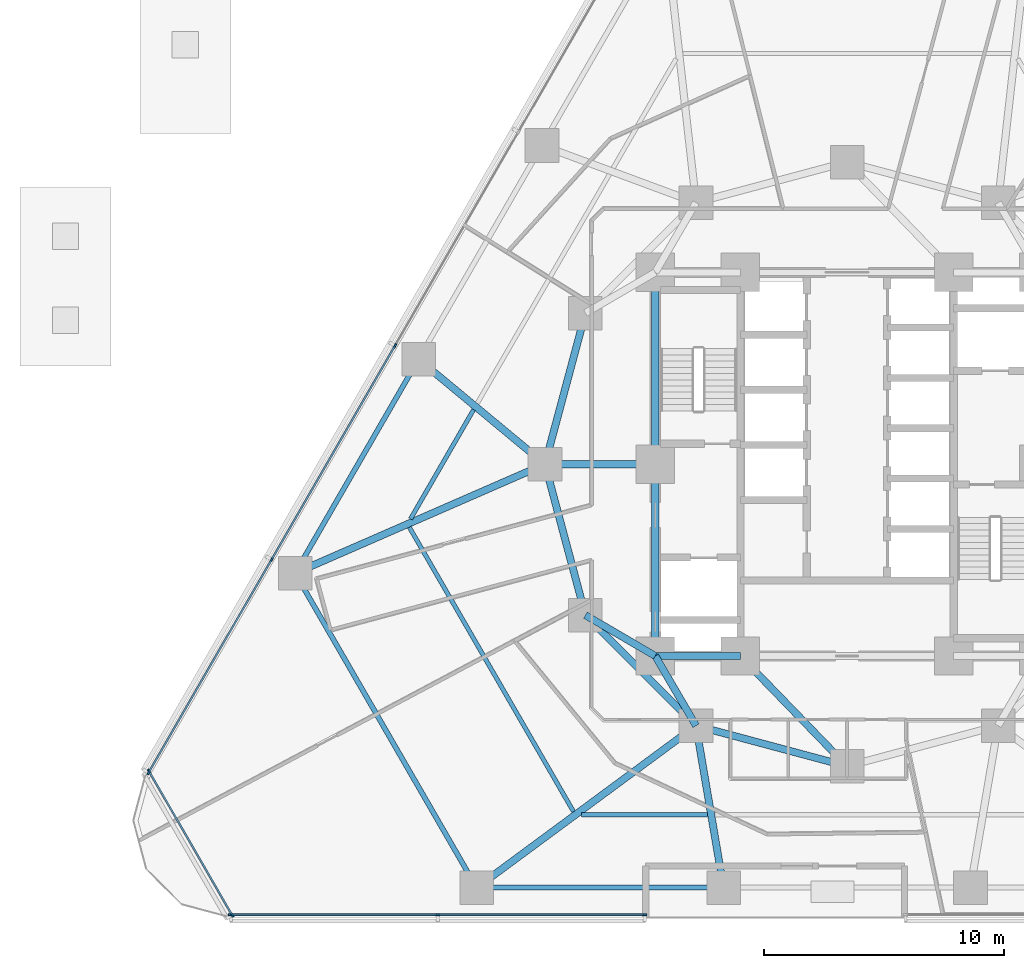
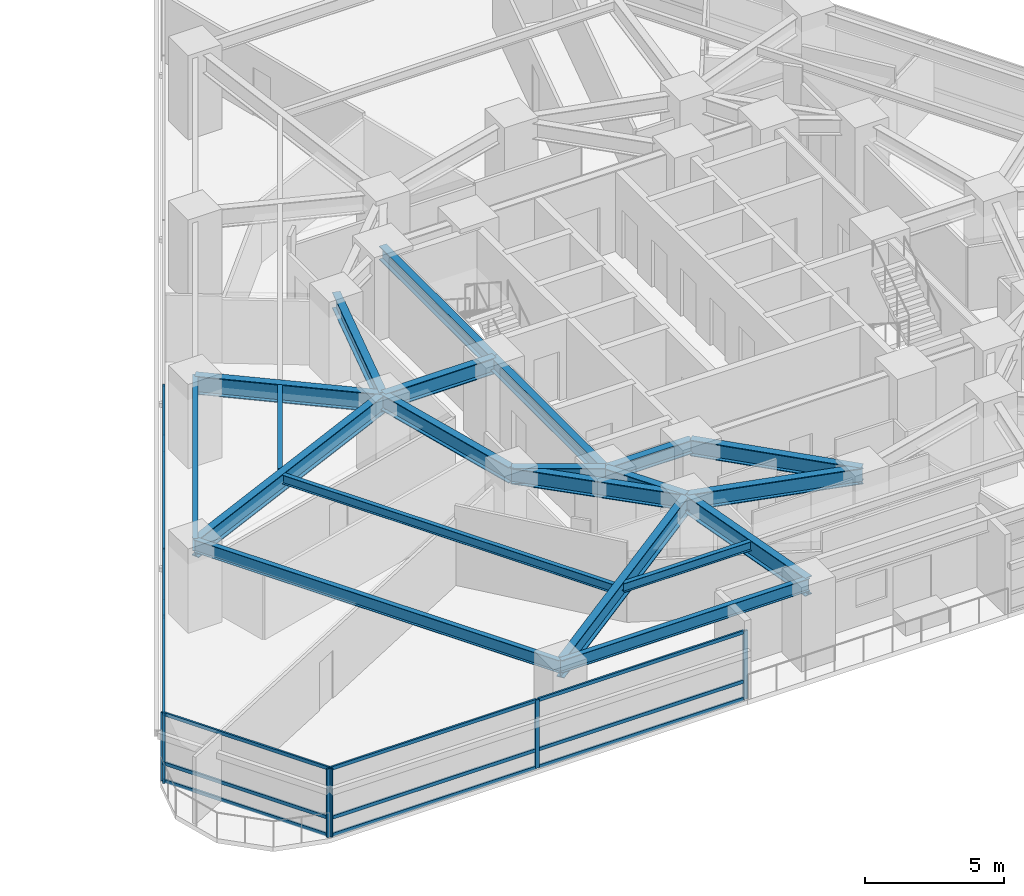
# One storey, part 2 of 16: 23 members, 21 beams, 3 elements without a shape of their own.
"""IFC4 building model written with IfcOpenShell, lengths in metres."""

from ifc_helpers import new_model, si_unit, direction, frame, origin, origin_2d, place, context, subcontext, project, spatial, rectangle, i_section, extrude, material, layer, layer_set, material_profile, profile_set, type_object, element, aggregate, save


model = new_model("IFC4")

# Units and contexts
model_context = context("Model", 3, precision=1e-05, world=origin(), true_north=direction((0.0, 1.0)))
body_context = subcontext(model_context, "Body", "Model", "MODEL_VIEW")
ifc_project = project(units=[si_unit("LENGTHUNIT", "METRE"), si_unit("AREAUNIT", "SQUARE_METRE"), si_unit("VOLUMEUNIT", "CUBIC_METRE"), si_unit("PLANEANGLEUNIT", "RADIAN"), si_unit("MASSUNIT", "GRAM", prefix="KILO")], contexts=[model_context])

# Site, building, storey
site_placement = place(None, origin())
site = spatial("IfcSite", under=ifc_project, at=site_placement, CompositionType="ELEMENT")
building_placement = place(site_placement, origin())
building = spatial("IfcBuilding", under=site, at=building_placement, Name="Terralouvre Media Tower", CompositionType="ELEMENT")
storey_placement = place(building_placement, frame((0.0, 0.0, 29.699951171875)))
storey = spatial("IfcBuildingStorey", under=building, at=storey_placement, Name="L06", CompositionType="ELEMENT", Elevation=29.699951171875)

# Beams
ifc_material_1 = material(Name="Structural steel S355J2", Category="steel")
ifc_material_profile_1 = material_profile(ifc_material_1, i_section(OverallWidth=0.179931640625, OverallDepth=0.39990234375, WebThickness=0.008544921875, FlangeThickness=0.013427734375, at=origin_2d()), Name="IPE 400")
ifc_profile_set_1 = profile_set([ifc_material_profile_1], Name="Structural steel S355J2")
beam_type_1 = type_object("IfcBeamType", Name="Composite Floor Joist J-IPE400 (IPE 400)", PredefinedType="JOIST", material=ifc_profile_set_1)
beam_1_placement = place(storey_placement, frame((-18.2587890625, -2.630615234375, 3.300048828125), z_axis=(0.500011895338, -0.866018535899, 0.0), x_axis=(0.866018535899, 0.500011895338, 0.0)))
element("IfcBeam", 1, at=beam_1_placement, inside=storey, type_object=beam_type_1, Name="L06 Framing Beam JT-L06-01", PredefinedType="JOIST", context=body_context, shape_type="SweptSolid", body=[
    extrude(i_section(OverallWidth=0.179931640625, OverallDepth=0.39990234375, WebThickness=0.008544921875, FlangeThickness=0.013427734375, at=origin_2d()), origin(), (0.0, 0.0, 1.0), 13.702392578125),
])
for number, where, z_axis, x_axis, name in (
    (2, (-11.08203125, -14.627197265625, 3.300048828125), (1.0, 0.0, 0.0), (0.0, 1.0, 0.0), "L06 Framing Beam JT-L06-02"),
    (3, (-15.576171875, 2.275390625, 3.300048828125), (-0.500019514865, -0.866014136579, 0.0), (0.866014136579, -0.500019514865, 0.0), "L06 Framing Beam JT-L06-12"),
):
    element("IfcBeam", number, at=place(storey_placement, frame(where, z_axis=z_axis, x_axis=x_axis)), inside=storey, type_object=beam_type_1, Name=name, PredefinedType="JOIST", context=body_context, shape_type="SweptSolid", body=[
        extrude(i_section(OverallWidth=0.179931640625, OverallDepth=0.39990234375, WebThickness=0.008544921875, FlangeThickness=0.013427734375, at=origin_2d()), origin(), (0.0, 0.0, 1.0), 5.264404296875),
    ])

# Curtain wall, members
ifc_material_2 = material(Name="Low-iron laminated double glazing with solar-control coating", Category="glass")
ifc_layer_1 = layer(ifc_material_2, 0.1650390625, Name="Lower Media Tower Unitised Curtain Wall CW-02")
ifc_layer_set_1 = layer_set([ifc_layer_1], Name="Low-iron laminated double glazing with solar-control coating")
curtain_wall_type_1 = type_object("IfcCurtainWallType", Name="Lower Media Tower Unitised Curtain Wall CW-02", PredefinedType="NOTDEFINED", material=ifc_layer_set_1)
curtain_wall_1_placement = place(storey_placement, origin())
curtain_wall_1 = element("IfcCurtainWall", 4, at=curtain_wall_1_placement, inside=storey, type_object=curtain_wall_type_1, Name="L06 Left Flank Curtain Wall F0", PredefinedType="NOTDEFINED")
ifc_material_3 = material(Name="Anodised extruded aluminium 6063-T6", Category="aluminium")
ifc_material_profile_2 = material_profile(ifc_material_3, rectangle(XDim=0.074951171875, YDim=0.14990234375, at=origin_2d()), Name="ALU 75x150")
ifc_profile_set_2 = profile_set([ifc_material_profile_2], Name="Anodised extruded aluminium 6063-T6")
member_type_1 = type_object("IfcMemberType", Name="Curtain-Wall Horizontal Transom TR-150", PredefinedType="USERDEFINED", material=ifc_profile_set_2)
member_1_placement = place(storey_placement, frame((-25.675048828125, -18.796875, 0.03759765625), z_axis=(1.0, 0.0, 0.0), x_axis=(0.0, 1.0, 0.0)))
member_1 = element("IfcMember", 5, at=member_1_placement, type_object=member_type_1, Name="CW-02 transom 1.1", ObjectType="TRANSOM", PredefinedType="USERDEFINED", context=body_context, shape_type="SweptSolid", body=[
    extrude(rectangle(XDim=0.074951171875, YDim=0.14990234375, at=origin_2d()), origin(), (0.0, 0.0, 1.0), 8.5625),
])
member_2_placement = place(storey_placement, frame((-25.675048828125, -18.796875, 0.800048828125), z_axis=(1.0, 0.0, 0.0), x_axis=(0.0, 1.0, 0.0)))
member_2 = element("IfcMember", 6, at=member_2_placement, type_object=member_type_1, Name="CW-02 transom 1.2", ObjectType="TRANSOM", PredefinedType="USERDEFINED", context=body_context, shape_type="SweptSolid", body=[
    extrude(rectangle(XDim=0.074951171875, YDim=0.14990234375, at=origin_2d()), origin(), (0.0, 0.0, 1.0), 8.5625),
])
member_3_placement = place(storey_placement, frame((-25.675048828125, -18.796875, 2.962646484375), z_axis=(1.0, 0.0, 0.0), x_axis=(0.0, 1.0, 0.0)))
member_3 = element("IfcMember", 7, at=member_3_placement, type_object=member_type_1, Name="CW-02 transom 1.3", ObjectType="TRANSOM", PredefinedType="USERDEFINED", context=body_context, shape_type="SweptSolid", body=[
    extrude(rectangle(XDim=0.074951171875, YDim=0.14990234375, at=origin_2d()), origin(), (0.0, 0.0, 1.0), 8.5625),
])
member_4_placement = place(storey_placement, frame((-17.03759765625, -18.796875, 0.03759765625), z_axis=(1.0, 0.0, 0.0), x_axis=(0.0, 1.0, 0.0)))
member_4 = element("IfcMember", 8, at=member_4_placement, type_object=member_type_1, Name="CW-02 transom 2.1", ObjectType="TRANSOM", PredefinedType="USERDEFINED", context=body_context, shape_type="SweptSolid", body=[
    extrude(rectangle(XDim=0.074951171875, YDim=0.14990234375, at=origin_2d()), origin(), (0.0, 0.0, 1.0), 8.5625),
])
member_5_placement = place(storey_placement, frame((-17.03759765625, -18.796875, 0.800048828125), z_axis=(1.0, 0.0, 0.0), x_axis=(0.0, 1.0, 0.0)))
member_5 = element("IfcMember", 9, at=member_5_placement, type_object=member_type_1, Name="CW-02 transom 2.2", ObjectType="TRANSOM", PredefinedType="USERDEFINED", context=body_context, shape_type="SweptSolid", body=[
    extrude(rectangle(XDim=0.074951171875, YDim=0.14990234375, at=origin_2d()), origin(), (0.0, 0.0, 1.0), 8.5625),
])
member_6_placement = place(storey_placement, frame((-17.03759765625, -18.796875, 2.962646484375), z_axis=(1.0, 0.0, 0.0), x_axis=(0.0, 1.0, 0.0)))
member_6 = element("IfcMember", 10, at=member_6_placement, type_object=member_type_1, Name="CW-02 transom 2.3", ObjectType="TRANSOM", PredefinedType="USERDEFINED", context=body_context, shape_type="SweptSolid", body=[
    extrude(rectangle(XDim=0.074951171875, YDim=0.14990234375, at=origin_2d()), origin(), (0.0, 0.0, 1.0), 8.5625),
])

curtain_wall_2_placement = place(storey_placement, origin())
curtain_wall_2 = element("IfcCurtainWall", 11, at=curtain_wall_2_placement, inside=storey, type_object=curtain_wall_type_1, Name="L06 Facade Curtain Wall F2", PredefinedType="NOTDEFINED")
member_7_placement = place(storey_placement, frame((-18.872314453125, 4.90576171875, 0.03759765625), z_axis=(-0.499991148707, -0.866030514021, 0.0), x_axis=(0.866030514021, -0.499991148707, 0.0)))
member_7 = element("IfcMember", 12, at=member_7_placement, type_object=member_type_1, Name="CW-02 transom 4.1", ObjectType="TRANSOM", PredefinedType="USERDEFINED", context=body_context, shape_type="SweptSolid", body=[
    extrude(rectangle(XDim=0.074951171875, YDim=0.14990234375, at=origin_2d()), origin(), (0.0, 0.0, 1.0), 10.224853515625),
])
member_8_placement = place(storey_placement, frame((-18.872314453125, 4.90576171875, 0.800048828125), z_axis=(-0.499991148707, -0.866030514021, 0.0), x_axis=(0.866030514021, -0.499991148707, 0.0)))
member_8 = element("IfcMember", 13, at=member_8_placement, type_object=member_type_1, Name="CW-02 transom 4.2", ObjectType="TRANSOM", PredefinedType="USERDEFINED", context=body_context, shape_type="SweptSolid", body=[
    extrude(rectangle(XDim=0.074951171875, YDim=0.14990234375, at=origin_2d()), origin(), (0.0, 0.0, 1.0), 10.224853515625),
])
member_9_placement = place(storey_placement, frame((-18.872314453125, 4.90576171875, 2.962646484375), z_axis=(-0.499991148707, -0.866030514021, 0.0), x_axis=(0.866030514021, -0.499991148707, 0.0)))
member_9 = element("IfcMember", 14, at=member_9_placement, type_object=member_type_1, Name="CW-02 transom 4.3", ObjectType="TRANSOM", PredefinedType="USERDEFINED", context=body_context, shape_type="SweptSolid", body=[
    extrude(rectangle(XDim=0.074951171875, YDim=0.14990234375, at=origin_2d()), origin(), (0.0, 0.0, 1.0), 10.224853515625),
])
member_10_placement = place(storey_placement, frame((-24.022216796875, -4.01416015625, 0.03759765625), z_axis=(-0.499994895054, -0.866028351106, 0.0), x_axis=(0.866028351106, -0.499994895054, 0.0)))
member_10 = element("IfcMember", 15, at=member_10_placement, type_object=member_type_1, Name="CW-02 transom 5.1", ObjectType="TRANSOM", PredefinedType="USERDEFINED", context=body_context, shape_type="SweptSolid", body=[
    extrude(rectangle(XDim=0.074951171875, YDim=0.14990234375, at=origin_2d()), origin(), (0.0, 0.0, 1.0), 10.1875),
])
member_11_placement = place(storey_placement, frame((-24.022216796875, -4.01416015625, 0.800048828125), z_axis=(-0.499994895054, -0.866028351106, 0.0), x_axis=(0.866028351106, -0.499994895054, 0.0)))
member_11 = element("IfcMember", 16, at=member_11_placement, type_object=member_type_1, Name="CW-02 transom 5.2", ObjectType="TRANSOM", PredefinedType="USERDEFINED", context=body_context, shape_type="SweptSolid", body=[
    extrude(rectangle(XDim=0.074951171875, YDim=0.14990234375, at=origin_2d()), origin(), (0.0, 0.0, 1.0), 10.1875),
])
member_12_placement = place(storey_placement, frame((-24.022216796875, -4.01416015625, 2.962646484375), z_axis=(-0.499994895054, -0.866028351106, 0.0), x_axis=(0.866028351106, -0.499994895054, 0.0)))
member_12 = element("IfcMember", 17, at=member_12_placement, type_object=member_type_1, Name="CW-02 transom 5.3", ObjectType="TRANSOM", PredefinedType="USERDEFINED", context=body_context, shape_type="SweptSolid", body=[
    extrude(rectangle(XDim=0.074951171875, YDim=0.14990234375, at=origin_2d()), origin(), (0.0, 0.0, 1.0), 10.1875),
])

ifc_material_4 = material(Name="Low-iron laminated double glazing with solar-control coating", Category="glass")
ifc_layer_2 = layer(ifc_material_4, 0.1650390625, Name="Rounded Wind-Corner Curved Glazing CW-04")
ifc_layer_set_2 = layer_set([ifc_layer_2], Name="Low-iron laminated double glazing with solar-control coating")
curtain_wall_type_2 = type_object("IfcCurtainWallType", Name="Rounded Wind-Corner Curved Glazing CW-04", PredefinedType="NOTDEFINED", material=ifc_layer_set_2)
curtain_wall_3_placement = place(storey_placement, origin())
curtain_wall_3 = element("IfcCurtainWall", 18, at=curtain_wall_3_placement, inside=storey, type_object=curtain_wall_type_2, Name="L06 Rounded Wind-Corner Curtain Wall C0", PredefinedType="NOTDEFINED")
member_13_placement = place(storey_placement, frame((-29.0986328125, -12.836669921875, 0.03759765625), z_axis=(0.499998495495, -0.866026272409, 0.0), x_axis=(0.866026272409, 0.499998495495, 0.0)))
member_13 = element("IfcMember", 19, at=member_13_placement, type_object=member_type_1, Name="CW-04 transom 1.1", ObjectType="TRANSOM", PredefinedType="USERDEFINED", context=body_context, shape_type="SweptSolid", body=[
    extrude(rectangle(XDim=0.074951171875, YDim=0.14990234375, at=origin_2d()), origin(), (0.0, 0.0, 1.0), 6.86474609375),
])
member_14_placement = place(storey_placement, frame((-29.0986328125, -12.836669921875, 0.800048828125), z_axis=(0.499998495495, -0.866026272409, 0.0), x_axis=(0.866026272409, 0.499998495495, 0.0)))
member_14 = element("IfcMember", 20, at=member_14_placement, type_object=member_type_1, Name="CW-04 transom 1.2", ObjectType="TRANSOM", PredefinedType="USERDEFINED", context=body_context, shape_type="SweptSolid", body=[
    extrude(rectangle(XDim=0.074951171875, YDim=0.14990234375, at=origin_2d()), origin(), (0.0, 0.0, 1.0), 6.86474609375),
])
member_15_placement = place(storey_placement, frame((-29.0986328125, -12.836669921875, 2.962646484375), z_axis=(0.499998495495, -0.866026272409, 0.0), x_axis=(0.866026272409, 0.499998495495, 0.0)))
member_15 = element("IfcMember", 21, at=member_15_placement, type_object=member_type_1, Name="CW-04 transom 1.3", ObjectType="TRANSOM", PredefinedType="USERDEFINED", context=body_context, shape_type="SweptSolid", body=[
    extrude(rectangle(XDim=0.074951171875, YDim=0.14990234375, at=origin_2d()), origin(), (0.0, 0.0, 1.0), 6.86474609375),
])

# Member
ifc_material_5 = material(Name="Anodised extruded aluminium 6063-T6", Category="aluminium")
ifc_material_profile_3 = material_profile(ifc_material_5, rectangle(XDim=0.074951171875, YDim=0.179931640625, at=origin_2d()), Name="ALU 75x180")
ifc_profile_set_3 = profile_set([ifc_material_profile_3], Name="Anodised extruded aluminium 6063-T6")
member_type_2 = type_object("IfcMemberType", Name="Curtain-Wall Vertical Mullion ML-180", PredefinedType="MULLION", material=ifc_profile_set_3)
member_16_placement = place(storey_placement, frame((-25.71240234375, -18.796875, 0.0), z_axis=(0.0, 0.0, 1.0), x_axis=(0.0, 1.0, 0.0)))
member_16 = element("IfcMember", 22, at=member_16_placement, type_object=member_type_2, Name="CW-02 mullion 1", PredefinedType="MULLION", context=body_context, shape_type="SweptSolid", body=[
    extrude(rectangle(XDim=0.074951171875, YDim=0.179931640625, at=origin_2d()), origin(), (0.0, 0.0, 1.0), 3.0),
])

member_17_placement = place(storey_placement, frame((-17.074951171875, -18.796875, 0.0), z_axis=(0.0, 0.0, 1.0), x_axis=(0.0, 1.0, 0.0)))
member_17 = element("IfcMember", 23, at=member_17_placement, type_object=member_type_2, Name="CW-02 mullion 2", PredefinedType="MULLION", context=body_context, shape_type="SweptSolid", body=[
    extrude(rectangle(XDim=0.074951171875, YDim=0.179931640625, at=origin_2d()), origin(), (0.0, 0.0, 1.0), 3.0),
])

member_18_placement = place(storey_placement, frame((-8.4375, -18.796875, 0.0), z_axis=(0.0, 0.0, 1.0), x_axis=(0.0, 1.0, 0.0)))
member_18 = element("IfcMember", 24, at=member_18_placement, type_object=member_type_2, Name="CW-02 mullion 3", PredefinedType="MULLION", context=body_context, shape_type="SweptSolid", body=[
    extrude(rectangle(XDim=0.074951171875, YDim=0.179931640625, at=origin_2d()), origin(), (0.0, 0.0, 1.0), 3.0),
])

aggregate(curtain_wall_1, [member_16, member_17, member_18, member_1, member_2, member_3, member_4, member_5, member_6])

member_19_placement = place(storey_placement, frame((-18.853515625, 4.938232421875, 0.0), z_axis=(0.0, 0.0, 1.0), x_axis=(0.866025412057, -0.499999985671, 0.0)))
member_19 = element("IfcMember", 25, at=member_19_placement, type_object=member_type_2, Name="CW-02 mullion 4", PredefinedType="MULLION", context=body_context, shape_type="SweptSolid", body=[
    extrude(rectangle(XDim=0.074951171875, YDim=0.179931640625, at=origin_2d()), origin(), (0.0, 0.0, 1.0), 3.0),
])

member_20_placement = place(storey_placement, frame((-24.00341796875, -3.981689453125, 0.0), z_axis=(0.0, 0.0, 1.0), x_axis=(0.866025412057, -0.499999985671, 0.0)))
member_20 = element("IfcMember", 26, at=member_20_placement, type_object=member_type_2, Name="CW-02 mullion 5", PredefinedType="MULLION", context=body_context, shape_type="SweptSolid", body=[
    extrude(rectangle(XDim=0.074951171875, YDim=0.179931640625, at=origin_2d()), origin(), (0.0, 0.0, 1.0), 3.0),
])

member_21_placement = place(storey_placement, frame((-29.134765625, -12.869384765625, 0.0), z_axis=(0.0, 0.0, 1.0), x_axis=(0.866025412057, -0.499999985671, 0.0)))
member_21 = element("IfcMember", 27, at=member_21_placement, type_object=member_type_2, Name="CW-02 mullion 6", PredefinedType="MULLION", context=body_context, shape_type="SweptSolid", body=[
    extrude(rectangle(XDim=0.074951171875, YDim=0.179931640625, at=origin_2d()), origin(), (0.0, 0.0, 1.0), 3.0),
])

aggregate(curtain_wall_2, [member_19, member_20, member_21, member_7, member_8, member_9, member_10, member_11, member_12])

member_22_placement = place(storey_placement, frame((-29.117431640625, -12.80419921875, 0.0), z_axis=(0.0, 0.0, 1.0), x_axis=(0.866025581895, 0.499999691503, 0.0)))
member_22 = element("IfcMember", 28, at=member_22_placement, type_object=member_type_2, Name="CW-04 mullion 1", PredefinedType="MULLION", context=body_context, shape_type="SweptSolid", body=[
    extrude(rectangle(XDim=0.074951171875, YDim=0.179931640625, at=origin_2d()), origin(), (0.0, 0.0, 1.0), 3.0),
])

member_23_placement = place(storey_placement, frame((-25.6474609375, -18.814208984375, 0.0), z_axis=(0.0, 0.0, 1.0), x_axis=(0.866025581895, 0.499999691503, 0.0)))
member_23 = element("IfcMember", 29, at=member_23_placement, type_object=member_type_2, Name="CW-04 mullion 2", PredefinedType="MULLION", context=body_context, shape_type="SweptSolid", body=[
    extrude(rectangle(XDim=0.074951171875, YDim=0.179931640625, at=origin_2d()), origin(), (0.0, 0.0, 1.0), 3.0),
])

aggregate(curtain_wall_3, [member_22, member_23, member_13, member_14, member_15])

# Beams
ifc_material_6 = material(Name="Structural steel S355J2", Category="steel")
ifc_material_profile_4 = material_profile(ifc_material_6, i_section(OverallWidth=0.2099609375, OverallDepth=0.550048828125, WebThickness=0.010986328125, FlangeThickness=0.01708984375, at=origin_2d()), Name="IPE 550")
ifc_profile_set_4 = profile_set([ifc_material_profile_4], Name="Structural steel S355J2")
beam_type_2 = type_object("IfcBeamType", Name="Perimeter Spandrel Beam SPB-550 (IPE 550)", PredefinedType="SPANDREL", material=ifc_profile_set_4)
beam_2_placement = place(storey_placement, frame((-23.02490234375, -4.546630859375, 3.22509765625), z_axis=(0.500002375365, -0.866024032363, 0.0), x_axis=(0.866024032363, 0.500002375365, 0.0)))
element("IfcBeam", 30, at=beam_2_placement, inside=storey, type_object=beam_type_2, Name="L06 Framing Beam BM-L06-PR01", PredefinedType="SPANDREL", context=body_context, shape_type="SweptSolid", body=[
    extrude(i_section(OverallWidth=0.2099609375, OverallDepth=0.550048828125, WebThickness=0.010986328125, FlangeThickness=0.01708984375, at=origin_2d()), origin(), (0.0, 0.0, 1.0), 15.14990234375),
])
for number, where, z_axis, x_axis, name in (
    (31, (-15.449951171875, -17.666748046875, 3.22509765625), (1.0, 0.0, 0.0), (0.0, 1.0, 0.0), "L06 Framing Beam BM-L06-PR02"),
    (32, (-17.874755859375, 4.373291015625, 3.22509765625), (-0.500016542852, -0.866015852554, 0.0), (0.866015852554, -0.500016542852, 0.0), "L06 Framing Beam BM-L06-PR12"),
):
    element("IfcBeam", number, at=place(storey_placement, frame(where, z_axis=z_axis, x_axis=x_axis)), inside=storey, type_object=beam_type_2, Name=name, PredefinedType="SPANDREL", context=body_context, shape_type="SweptSolid", body=[
        extrude(i_section(OverallWidth=0.2099609375, OverallDepth=0.550048828125, WebThickness=0.010986328125, FlangeThickness=0.01708984375, at=origin_2d()), origin(), (0.0, 0.0, 1.0), 10.300048828125),
    ])
ifc_material_7 = material(Name="Structural steel S460M", Category="steel")
ifc_material_profile_5 = material_profile(ifc_material_7, i_section(OverallWidth=0.300048828125, OverallDepth=0.60009765625, WebThickness=0.015380859375, FlangeThickness=0.030029296875, at=origin_2d()), Name="HEB 600")
ifc_profile_set_5 = profile_set([ifc_material_profile_5], Name="Structural steel S460M")
beam_type_3 = type_object("IfcBeamType", Name="Primary Floor Girder B-HEB600 (HEB 600)", PredefinedType="BEAM", material=ifc_profile_set_5)
beam_3_placement = place(storey_placement, frame((-8.0, -8.0, 3.199951171875), z_axis=(1.0, 0.0, 0.0), x_axis=(0.0, 1.0, 0.0)))
element("IfcBeam", 33, at=beam_3_placement, inside=storey, type_object=beam_type_3, Name="L06 Framing Beam BM-L06-CPR01", PredefinedType="BEAM", context=body_context, shape_type="SweptSolid", body=[
    extrude(i_section(OverallWidth=0.300048828125, OverallDepth=0.60009765625, WebThickness=0.015380859375, FlangeThickness=0.030029296875, at=origin_2d()), origin(), (0.0, 0.0, 1.0), 3.550048828125),
])
for number, where, z_axis, x_axis, name in (
    (34, (-8.0, 8.0, 3.199951171875), (0.0, -1.0, 0.0), (1.0, 0.0, 0.0), "L06 Framing Beam BM-L06-CPR09"),
    (35, (-8.0, 0.0, 3.199951171875), (0.0, -1.0, 0.0), (1.0, 0.0, 0.0), "L06 Framing Beam BM-L06-CPR10"),
):
    element("IfcBeam", number, at=place(storey_placement, frame(where, z_axis=z_axis, x_axis=x_axis)), inside=storey, type_object=beam_type_3, Name=name, PredefinedType="BEAM", context=body_context, shape_type="SweptSolid", body=[
        extrude(i_section(OverallWidth=0.300048828125, OverallDepth=0.60009765625, WebThickness=0.015380859375, FlangeThickness=0.030029296875, at=origin_2d()), origin(), (0.0, 0.0, 1.0), 8.0),
    ])
ifc_material_8 = material(Name="Structural steel S460M", Category="steel")
ifc_material_profile_6 = material_profile(ifc_material_8, i_section(OverallWidth=0.300048828125, OverallDepth=0.699951171875, WebThickness=0.01708984375, FlangeThickness=0.031982421875, at=origin_2d()), Name="HEB 700")
ifc_profile_set_6 = profile_set([ifc_material_profile_6], Name="Structural steel S460M")
beam_type_4 = type_object("IfcBeamType", Name="Primary Floor Girder B-HEB700 (HEB 700)", PredefinedType="BEAM", material=ifc_profile_set_6)
beam_4_placement = place(storey_placement, frame((-10.911865234375, -6.300048828125, 3.150146484375), z_axis=(0.707106781187, -0.707106781187, 0.0), x_axis=(0.707106781187, 0.707106781187, 0.0)))
element("IfcBeam", 36, at=beam_4_placement, inside=storey, type_object=beam_type_4, Name="L06 Framing Beam BM-L06-MR01", PredefinedType="BEAM", context=body_context, shape_type="SweptSolid", body=[
    extrude(i_section(OverallWidth=0.300048828125, OverallDepth=0.699951171875, WebThickness=0.01708984375, FlangeThickness=0.031982421875, at=origin_2d()), origin(), (0.0, 0.0, 1.0), 6.52197265625),
])
for number, where, z_axis, x_axis, name in (
    (37, (-6.300048828125, -10.911865234375, 3.150146484375), (0.965920481897, -0.258838989821, 0.0), (0.258838989821, 0.965920481897, 0.0), "L06 Framing Beam BM-L06-MR02"),
    (38, (-10.911865234375, 6.300048828125, 3.150146484375), (-0.258838989821, -0.965920481897, 0.0), (0.965920481897, -0.258838989821, 0.0), "L06 Framing Beam BM-L06-MR11"),
    (39, (-12.60009765625, 0.0, 3.150146484375), (0.258838989821, -0.965920481897, 0.0), (0.965920481897, 0.258838989821, 0.0), "L06 Framing Beam BM-L06-MR12"),
):
    element("IfcBeam", number, at=place(storey_placement, frame(where, z_axis=z_axis, x_axis=x_axis)), inside=storey, type_object=beam_type_4, Name=name, PredefinedType="BEAM", context=body_context, shape_type="SweptSolid", body=[
        extrude(i_section(OverallWidth=0.300048828125, OverallDepth=0.699951171875, WebThickness=0.01708984375, FlangeThickness=0.031982421875, at=origin_2d()), origin(), (0.0, 0.0, 1.0), 6.522216796875),
    ])
for number, where, z_axis, x_axis, name in (
    (40, (-8.0, -8.0, 3.150146484375), (-0.863602894532, 0.504172629717, 0.0), (-0.504172629717, -0.863602894532, 0.0), "L06 Framing Beam BM-L06-CM01"),
    (41, (-8.0, -8.0, 3.150146484375), (0.504172629717, -0.863602894532, 0.0), (0.863602894532, 0.504172629717, 0.0), "L06 Framing Beam BM-L06-CM02"),
):
    element("IfcBeam", number, at=place(storey_placement, frame(where, z_axis=z_axis, x_axis=x_axis)), inside=storey, type_object=beam_type_4, Name=name, PredefinedType="BEAM", context=body_context, shape_type="SweptSolid", body=[
        extrude(i_section(OverallWidth=0.300048828125, OverallDepth=0.699951171875, WebThickness=0.01708984375, FlangeThickness=0.031982421875, at=origin_2d()), origin(), (0.0, 0.0, 1.0), 3.371826171875),
    ])
beam_5_placement = place(storey_placement, frame((-4.449951171875, -8.0, 3.150146484375), z_axis=(0.695279715726, -0.718739255155, 0.0), x_axis=(0.718739255155, 0.695279715726, 0.0)))
element("IfcBeam", 42, at=beam_5_placement, inside=storey, type_object=beam_type_4, Name="L06 Framing Beam BM-L06-CM03", PredefinedType="BEAM", context=body_context, shape_type="SweptSolid", body=[
    extrude(i_section(OverallWidth=0.300048828125, OverallDepth=0.699951171875, WebThickness=0.01708984375, FlangeThickness=0.031982421875, at=origin_2d()), origin(), (0.0, 0.0, 1.0), 6.400146484375),
])
beam_6_placement = place(storey_placement, frame((-8.0, 0.0, 3.150146484375), z_axis=(-1.0, 0.0, 0.0), x_axis=(0.0, -1.0, 0.0)))
element("IfcBeam", 43, at=beam_6_placement, inside=storey, type_object=beam_type_4, Name="L06 Framing Beam BM-L06-CM12", PredefinedType="BEAM", context=body_context, shape_type="SweptSolid", body=[
    extrude(i_section(OverallWidth=0.300048828125, OverallDepth=0.699951171875, WebThickness=0.01708984375, FlangeThickness=0.031982421875, at=origin_2d()), origin(), (0.0, 0.0, 1.0), 4.60009765625),
])
ifc_material_9 = material(Name="Structural steel S460M", Category="steel")
ifc_material_profile_7 = material_profile(ifc_material_9, i_section(OverallWidth=0.300048828125, OverallDepth=0.800048828125, WebThickness=0.017578125, FlangeThickness=0.032958984375, at=origin_2d()), Name="HEB 800")
ifc_profile_set_7 = profile_set([ifc_material_profile_7], Name="Structural steel S460M")
beam_type_5 = type_object("IfcBeamType", Name="Primary Floor Girder B-HEB800 (HEB 800)", PredefinedType="BEAM", material=ifc_profile_set_7)
beam_7_placement = place(storey_placement, frame((-12.60009765625, 0.0, 3.10009765625), z_axis=(-0.916615903868, -0.399769039291, 0.0), x_axis=(0.399769039291, -0.916615903868, 0.0)))
element("IfcBeam", 44, at=beam_7_placement, inside=storey, type_object=beam_type_5, Name="L06 Framing Beam BM-L06-RD01", PredefinedType="BEAM", context=body_context, shape_type="SweptSolid", body=[
    extrude(i_section(OverallWidth=0.300048828125, OverallDepth=0.800048828125, WebThickness=0.017578125, FlangeThickness=0.032958984375, at=origin_2d()), origin(), (0.0, 0.0, 1.0), 11.373046875),
])
beam_8_placement = place(storey_placement, frame((-6.300048828125, -10.911865234375, 3.10009765625), z_axis=(-0.804515955091, -0.593931038088, 0.0), x_axis=(0.593931038088, -0.804515955091, 0.0)))
element("IfcBeam", 45, at=beam_8_placement, inside=storey, type_object=beam_type_5, Name="L06 Framing Beam BM-L06-RD02", PredefinedType="BEAM", context=body_context, shape_type="SweptSolid", body=[
    extrude(i_section(OverallWidth=0.300048828125, OverallDepth=0.800048828125, WebThickness=0.017578125, FlangeThickness=0.032958984375, at=origin_2d()), origin(), (0.0, 0.0, 1.0), 11.373291015625),
])
beam_9_placement = place(storey_placement, frame((-6.300048828125, -10.911865234375, 3.10009765625), z_axis=(0.167853129882, -0.98581201392, 0.0), x_axis=(0.98581201392, 0.167853129882, 0.0)))
element("IfcBeam", 46, at=beam_9_placement, inside=storey, type_object=beam_type_5, Name="L06 Framing Beam BM-L06-RD03", PredefinedType="BEAM", context=body_context, shape_type="SweptSolid", body=[
    extrude(i_section(OverallWidth=0.300048828125, OverallDepth=0.800048828125, WebThickness=0.017578125, FlangeThickness=0.032958984375, at=origin_2d()), origin(), (0.0, 0.0, 1.0), 6.85205078125),
])
beam_10_placement = place(storey_placement, frame((-12.60009765625, 0.0, 3.10009765625), z_axis=(-0.769816459478, 0.638265320001, 0.0), x_axis=(-0.638265320001, -0.769816459478, 0.0)))
element("IfcBeam", 47, at=beam_10_placement, inside=storey, type_object=beam_type_5, Name="L06 Framing Beam BM-L06-RD12", PredefinedType="BEAM", context=body_context, shape_type="SweptSolid", body=[
    extrude(i_section(OverallWidth=0.300048828125, OverallDepth=0.800048828125, WebThickness=0.017578125, FlangeThickness=0.032958984375, at=origin_2d()), origin(), (0.0, 0.0, 1.0), 6.851806640625),
])

save(model, "model.ifc")
